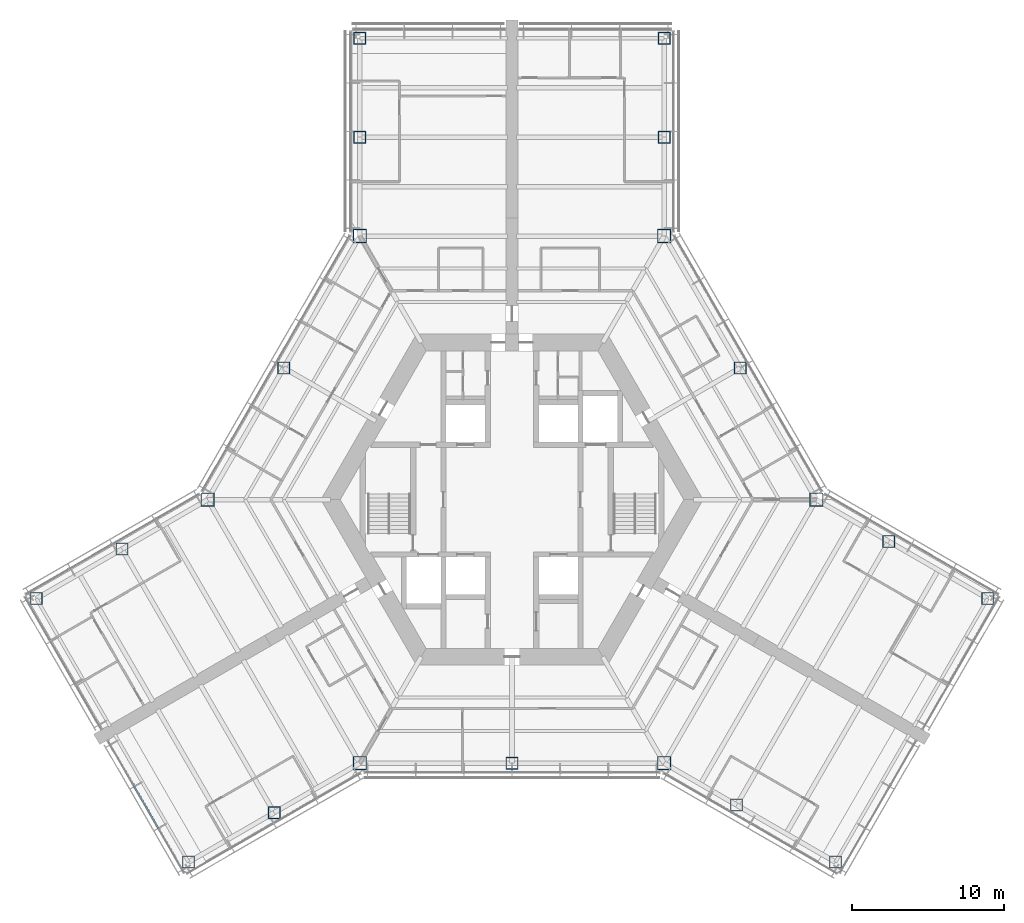
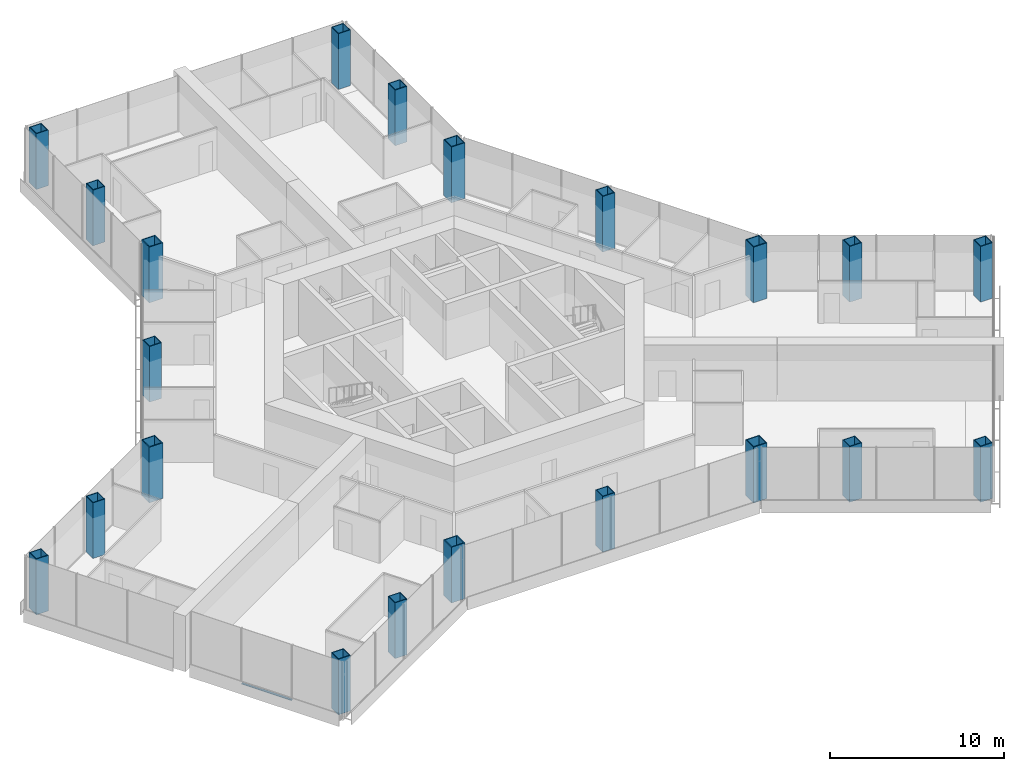
# One storey, part 1 of 19: 21 columns, 1 member, 1 element without a shape of its own.
"""IFC4 building model written with IfcOpenShell, lengths in metres."""

from ifc_helpers import new_model, si_unit, direction, frame, origin, origin_2d, place, context, subcontext, project, spatial, rectangle, hollow_rectangle, extrude, material, material_profile, profile_set, type_object, element, aggregate, save


model = new_model("IFC4")

# Units and contexts
model_context = context("Model", 3, precision=1e-05, world=origin(), true_north=direction((0.0, 1.0)))
body_context = subcontext(model_context, "Body", "Model", "MODEL_VIEW")
ifc_project = project(units=[si_unit("LENGTHUNIT", "METRE"), si_unit("AREAUNIT", "SQUARE_METRE"), si_unit("VOLUMEUNIT", "CUBIC_METRE"), si_unit("PLANEANGLEUNIT", "RADIAN"), si_unit("MASSUNIT", "GRAM", prefix="KILO")], contexts=[model_context])

# Site, building, storey
site_placement = place(None, origin())
site = spatial("IfcSite", under=ifc_project, at=site_placement, CompositionType="ELEMENT")
building_placement = place(site_placement, origin())
building = spatial("IfcBuilding", under=site, at=building_placement, Name="Kasaneha Research Tower", CompositionType="ELEMENT")
storey_placement = place(building_placement, frame((0.0, 0.0, 100.199951171875)))
storey = spatial("IfcBuildingStorey", under=building, at=storey_placement, Name="L25", CompositionType="ELEMENT", Elevation=100.199951171875)

# Columns
ifc_material_1 = material(Name="Steel SN490C", Category="steel")
ifc_material_profile_1 = material_profile(ifc_material_1, hollow_rectangle(XDim=0.89990234375, YDim=0.89990234375, WallThickness=0.054931640625, at=origin_2d()), Name="BOX-900x900x55")
ifc_profile_set_1 = profile_set([ifc_material_profile_1], Name="Steel SN490C")
column_type_1 = type_object("IfcColumnType", Name="C2A column BOX-900x900x55", PredefinedType="COLUMN", material=ifc_profile_set_1)
for number, where, z_axis, x_axis, name in (
    (1, (20.0, 0.0, 0.0), (0.0, 0.0, 1.0), (1.0, 0.0, 0.0), "Column V0 L25"),
    (2, (10.0, 17.320556640625, 0.0), (0.0, 0.0, 1.0), (1.0, 0.0, 0.0), "Column V1 L25"),
    (3, (-10.0, 17.320556640625, 0.0), (0.0, 0.0, 1.0), (1.0, 0.0, 0.0), "Column V2 L25"),
    (4, (-20.0, 0.0, 0.0), (0.0, 0.0, 1.0), (1.0, 0.0, 0.0), "Column V3 L25"),
    (5, (-10.0, -17.320556640625, 0.0), (0.0, 0.0, 1.0), (1.0, 0.0, 0.0), "Column V4 L25"),
    (6, (10.0, -17.320556640625, 0.0), (0.0, 0.0, 1.0), (1.0, 0.0, 0.0), "Column V5 L25"),
):
    element("IfcColumn", number, at=place(storey_placement, frame(where, z_axis=z_axis, x_axis=x_axis)), inside=storey, type_object=column_type_1, Name=name, PredefinedType="COLUMN", context=body_context, shape_type="SweptSolid", body=[
        extrude(hollow_rectangle(XDim=0.89990234375, YDim=0.89990234375, WallThickness=0.054931640625, at=origin_2d()), origin(), (0.0, 0.0, 1.0), 3.900146484375),
    ])
ifc_material_2 = material(Name="Steel SN490C", Category="steel")
ifc_material_profile_2 = material_profile(ifc_material_2, hollow_rectangle(XDim=0.800048828125, YDim=0.800048828125, WallThickness=0.044921875, at=origin_2d()), Name="BOX-800x800x45")
ifc_profile_set_2 = profile_set([ifc_material_profile_2], Name="Steel SN490C")
column_type_2 = type_object("IfcColumnType", Name="C2B column BOX-800x800x45", PredefinedType="COLUMN", material=ifc_profile_set_2)
for number, where, z_axis, x_axis, name in (
    (7, (15.0, 8.66015625, 0.0), (0.0, 0.0, 1.0), (1.0, 0.0, 0.0), "Column M030 L25"),
    (8, (-15.0, 8.66015625, 0.0), (0.0, 0.0, 1.0), (1.0, 0.0, 0.0), "Column M150 L25"),
    (9, (0.0, -17.320556640625, 0.0), (0.0, 0.0, 1.0), (1.0, 0.0, 0.0), "Column M270 L25"),
    (10, (10.0, 23.820556640625, 0.0), (0.0, 0.0, 1.0), (1.0, 0.0, 0.0), "Column ASP L25"),
    (11, (10.0, 30.320556640625, 0.0), (0.0, 0.0, 1.0), (1.0, 0.0, 0.0), "Column ATP L25"),
    (12, (-10.0, 23.820556640625, 0.0), (0.0, 0.0, 1.0), (1.0, 0.0, 0.0), "Column ASN L25"),
    (13, (-10.0, 30.320556640625, 0.0), (0.0, 0.0, 1.0), (1.0, 0.0, 0.0), "Column ATN L25"),
    (14, (-25.629150390625, -3.25, 0.0), (0.0, 0.0, 1.0), (1.0, 0.0, 0.0), "Column BSP L25"),
    (15, (-31.25830078125, -6.5, 0.0), (0.0, 0.0, 1.0), (1.0, 0.0, 0.0), "Column BTP L25"),
    (16, (-15.629150390625, -20.570556640625, 0.0), (0.0, 0.0, 1.0), (1.0, 0.0, 0.0), "Column BSN L25"),
    (17, (-21.25830078125, -23.820556640625, 0.0), (0.0, 0.0, 1.0), (1.0, 0.0, 0.0), "Column BTN L25"),
    (18, (14.76318359375, -20.070556640625, 0.0), (0.0, 0.0, 1.0), (1.0, 0.0, 0.0), "Column CSP L25"),
    (19, (21.25830078125, -23.820556640625, 0.0), (0.0, 0.0, 1.0), (1.0, 0.0, 0.0), "Column CTP L25"),
    (20, (24.76318359375, -2.75, 0.0), (0.0, 0.0, 1.0), (1.0, 0.0, 0.0), "Column CSN L25"),
    (21, (31.25830078125, -6.5, 0.0), (0.0, 0.0, 1.0), (1.0, 0.0, 0.0), "Column CTN L25"),
):
    element("IfcColumn", number, at=place(storey_placement, frame(where, z_axis=z_axis, x_axis=x_axis)), inside=storey, type_object=column_type_2, Name=name, PredefinedType="COLUMN", context=body_context, shape_type="SweptSolid", body=[
        extrude(hollow_rectangle(XDim=0.800048828125, YDim=0.800048828125, WallThickness=0.044921875, at=origin_2d()), origin(), (0.0, 0.0, 1.0), 3.900146484375),
    ])

# Curtain wall, member
ifc_material_3 = material(Name="Glass and aluminium", Category="aluminium")
curtain_wall_type = type_object("IfcCurtainWallType", Name="Low-rise office curtain wall", PredefinedType="USERDEFINED", material=ifc_material_3)
curtain_wall_placement = place(storey_placement, origin())
curtain_wall = element("IfcCurtainWall", 22, at=curtain_wall_placement, inside=storey, type_object=curtain_wall_type, Name="CW-O1 L25 run 15a", ObjectType="UNITISED CURTAIN WALL", PredefinedType="USERDEFINED")
ifc_material_4 = material(Name="Aluminium 6063-T6", Category="aluminium")
ifc_material_profile_3 = material_profile(ifc_material_4, rectangle(XDim=0.1201171875, YDim=0.06005859375, at=origin_2d()), Name="CW-O1 transom 120x60")
ifc_profile_set_3 = profile_set([ifc_material_profile_3], Name="Aluminium 6063-T6")
member_type = type_object("IfcMemberType", Name="CW-O1 transom", PredefinedType="USERDEFINED", material=ifc_profile_set_3)
member_placement = place(storey_placement, frame((-24.879638671875, -18.748291015625, 0.030029296875), z_axis=(0.500014325468, -0.866017132814, 0.0), x_axis=(0.866017132814, 0.500014325468, 0.0)))
member = element("IfcMember", 23, at=member_placement, type_object=member_type, Name="CW-O1 transom 2", ObjectType="TRANSOM", PredefinedType="USERDEFINED", context=body_context, shape_type="SweptSolid", body=[
    extrude(rectangle(XDim=0.1201171875, YDim=0.06005859375, at=origin_2d()), origin(), (0.0, 0.0, 1.0), 3.306640625),
])
aggregate(curtain_wall, [member])

save(model, "model.ifc")
